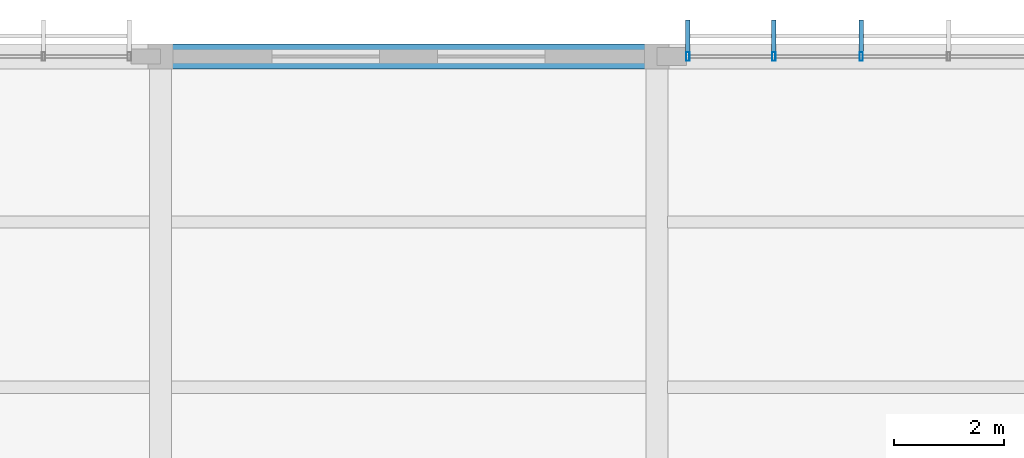
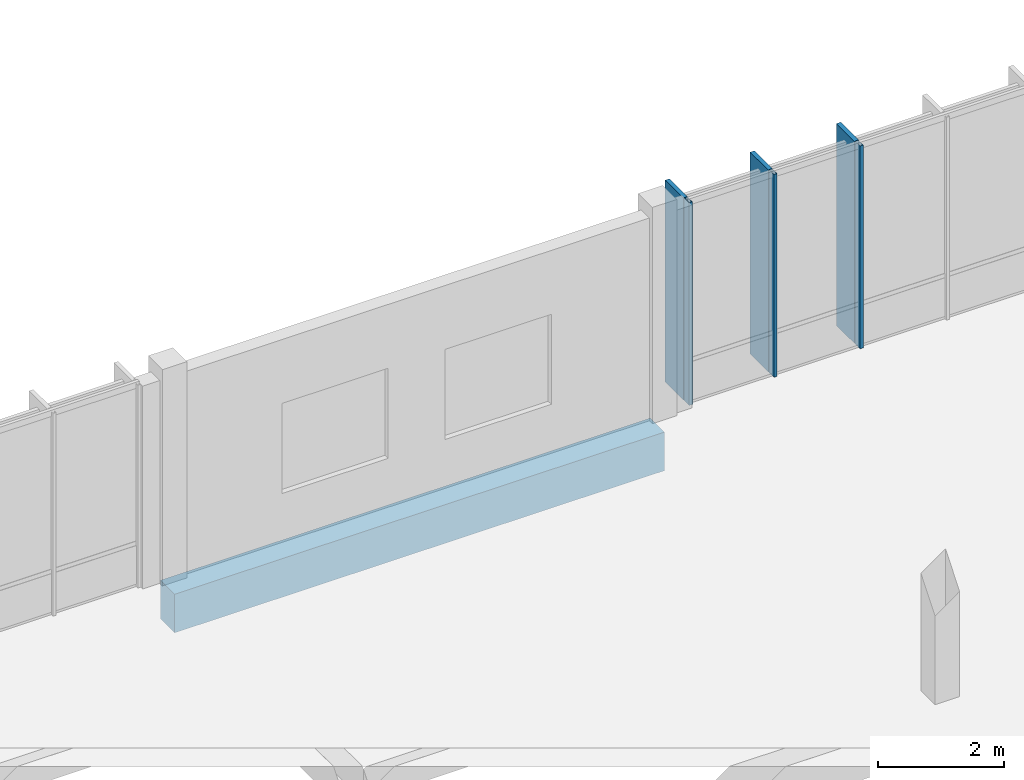
# One storey, part 66 of 94: 6 members, 1 beam, 1 element without a shape of its own.
"""IFC4 building model written with IfcOpenShell, lengths in metres."""

from ifc_helpers import new_model, si_unit, direction, frame, origin, origin_2d, place, context, subcontext, project, spatial, rectangle, hollow_rectangle, extrude, material, material_profile, profile_set, type_object, element, aggregate, save


model = new_model("IFC4")

# Units and contexts
model_context = context("Model", 3, precision=1e-05, world=origin(), true_north=direction((0.0, 1.0)))
body_context = subcontext(model_context, "Body", "Model", "MODEL_VIEW")
ifc_project = project(units=[si_unit("LENGTHUNIT", "METRE"), si_unit("AREAUNIT", "SQUARE_METRE"), si_unit("VOLUMEUNIT", "CUBIC_METRE"), si_unit("PLANEANGLEUNIT", "RADIAN"), si_unit("MASSUNIT", "GRAM", prefix="KILO")], contexts=[model_context])

# Site, building, storey
site_placement = place(None, origin())
site = spatial("IfcSite", under=ifc_project, at=site_placement, CompositionType="ELEMENT")
building_placement = place(site_placement, origin())
building = spatial("IfcBuilding", under=site, at=building_placement, Name="Chiffa Square Polytechnic", CompositionType="ELEMENT")
storey_placement = place(building_placement, frame((0.0, 0.0, 18.0)))
storey = spatial("IfcBuildingStorey", under=building, at=storey_placement, Name="L04", CompositionType="ELEMENT", Elevation=18.0)

# Beam
ifc_material_1 = material(Name="Concrete C35/45", Category="concrete")
ifc_material_profile_1 = material_profile(ifc_material_1, rectangle(XDim=0.449951171875, YDim=0.75, at=origin_2d()), Name="RC 450x750")
ifc_profile_set_1 = profile_set([ifc_material_profile_1], Name="Concrete C35/45")
beam_type = type_object("IfcBeamType", Name="BM-RC-450X750", PredefinedType="BEAM", material=ifc_profile_set_1)
beam_placement = place(storey_placement, frame((66.60009765625, 130.800048828125, -0.614990234375), z_axis=(1.0, 0.0, 0.0), x_axis=(0.0, 1.0, 0.0)))
element("IfcBeam", 1, at=beam_placement, inside=storey, type_object=beam_type, Name="Primary floor girder BM-V5-L04-X-0666-1308", PredefinedType="BEAM", context=body_context, shape_type="SweptSolid", body=[
    extrude(rectangle(XDim=0.449951171875, YDim=0.75, at=origin_2d()), origin(), (0.0, 0.0, 1.0), 9.0),
])

# Curtain wall, members
ifc_material_2 = material(Name="Aluminium EN AW-6060 T66 and glulam shading", Category="wood")
curtain_wall_type = type_object("IfcCurtainWallType", Name="CW-VERT-600X380", PredefinedType="USERDEFINED", material=ifc_material_2)
curtain_wall_placement = place(storey_placement, origin())
curtain_wall = element("IfcCurtainWall", 2, at=curtain_wall_placement, inside=storey, type_object=curtain_wall_type, Name="Curtain wall CW-V5-L04-244", ObjectType="CURTAIN WALL", PredefinedType="USERDEFINED")
ifc_material_3 = material(Name="Aluminium EN AW-6060 T66", Category="aluminium")
ifc_material_profile_2 = material_profile(ifc_material_3, hollow_rectangle(XDim=0.06005859375, YDim=0.159912109375, WallThickness=0.00390625, at=origin_2d()), Name="ALU 60x160x4")
ifc_profile_set_2 = profile_set([ifc_material_profile_2], Name="Aluminium EN AW-6060 T66")
member_type_1 = type_object("IfcMemberType", Name="CWM-ALU-65X150", PredefinedType="MULLION", material=ifc_profile_set_2)
member_1_placement = place(storey_placement, frame((79.30810546875, 130.800048828125, 0.0), z_axis=(0.0, 0.0, 1.0), x_axis=(1.0, 0.0, 0.0)))
member_1 = element("IfcMember", 3, at=member_1_placement, type_object=member_type_1, Name="Curtain wall mullion CW-V5-L04-244-M03", PredefinedType="MULLION", context=body_context, shape_type="SweptSolid", body=[
    extrude(hollow_rectangle(XDim=0.06005859375, YDim=0.159912109375, WallThickness=0.00390625, at=origin_2d()), origin(), (0.0, 0.0, 1.0), 3.93994140625),
])
member_2_placement = place(storey_placement, frame((77.72412109375, 130.800048828125, 0.0), z_axis=(0.0, 0.0, 1.0), x_axis=(1.0, 0.0, 0.0)))
member_2 = element("IfcMember", 4, at=member_2_placement, type_object=member_type_1, Name="Curtain wall mullion CW-V5-L04-244-M04", PredefinedType="MULLION", context=body_context, shape_type="SweptSolid", body=[
    extrude(hollow_rectangle(XDim=0.06005859375, YDim=0.159912109375, WallThickness=0.00390625, at=origin_2d()), origin(), (0.0, 0.0, 1.0), 3.93994140625),
])
member_3_placement = place(storey_placement, frame((76.1650390625, 130.800048828125, 0.0), z_axis=(0.0, 0.0, 1.0), x_axis=(1.0, 0.0, 0.0)))
member_3 = element("IfcMember", 5, at=member_3_placement, type_object=member_type_1, Name="Curtain wall mullion CW-V5-L04-244-M05", PredefinedType="MULLION", context=body_context, shape_type="SweptSolid", body=[
    extrude(hollow_rectangle(XDim=0.06005859375, YDim=0.159912109375, WallThickness=0.00390625, at=origin_2d()), origin(), (0.0, 0.0, 1.0), 3.93994140625),
])
ifc_material_4 = material(Name="Glulam GL28h", Category="wood")
ifc_material_profile_3 = material_profile(ifc_material_4, rectangle(XDim=0.080078125, YDim=0.580078125, at=origin_2d()), Name="GL28h 80x580")
ifc_profile_set_3 = profile_set([ifc_material_profile_3], Name="Glulam GL28h")
member_type_2 = type_object("IfcMemberType", Name="CWM-GL-80X580", PredefinedType="MULLION", material=ifc_profile_set_3)
member_4_placement = place(storey_placement, frame((79.30810546875, 131.172119140625, 0.010009765625), z_axis=(0.0, 0.0, 1.0), x_axis=(-1.0, 0.0, 0.0)))
member_4 = element("IfcMember", 6, at=member_4_placement, type_object=member_type_2, Name="Exterior glulam solar fin CW-V5-L04-244-FN03", PredefinedType="MULLION", context=body_context, shape_type="SweptSolid", body=[
    extrude(rectangle(XDim=0.080078125, YDim=0.580078125, at=origin_2d()), origin(), (0.0, 0.0, 1.0), 3.919921875),
])
member_5_placement = place(storey_placement, frame((77.72412109375, 131.172119140625, 0.010009765625), z_axis=(0.0, 0.0, 1.0), x_axis=(-1.0, 0.0, 0.0)))
member_5 = element("IfcMember", 7, at=member_5_placement, type_object=member_type_2, Name="Exterior glulam solar fin CW-V5-L04-244-FN04", PredefinedType="MULLION", context=body_context, shape_type="SweptSolid", body=[
    extrude(rectangle(XDim=0.080078125, YDim=0.580078125, at=origin_2d()), origin(), (0.0, 0.0, 1.0), 3.919921875),
])
member_6_placement = place(storey_placement, frame((76.1650390625, 131.172119140625, 0.010009765625), z_axis=(0.0, 0.0, 1.0), x_axis=(-1.0, 0.0, 0.0)))
member_6 = element("IfcMember", 8, at=member_6_placement, type_object=member_type_2, Name="Exterior glulam solar fin CW-V5-L04-244-FN05", PredefinedType="MULLION", context=body_context, shape_type="SweptSolid", body=[
    extrude(rectangle(XDim=0.080078125, YDim=0.580078125, at=origin_2d()), origin(), (0.0, 0.0, 1.0), 3.919921875),
])
aggregate(curtain_wall, [member_1, member_4, member_2, member_5, member_3, member_6])

save(model, "model.ifc")
